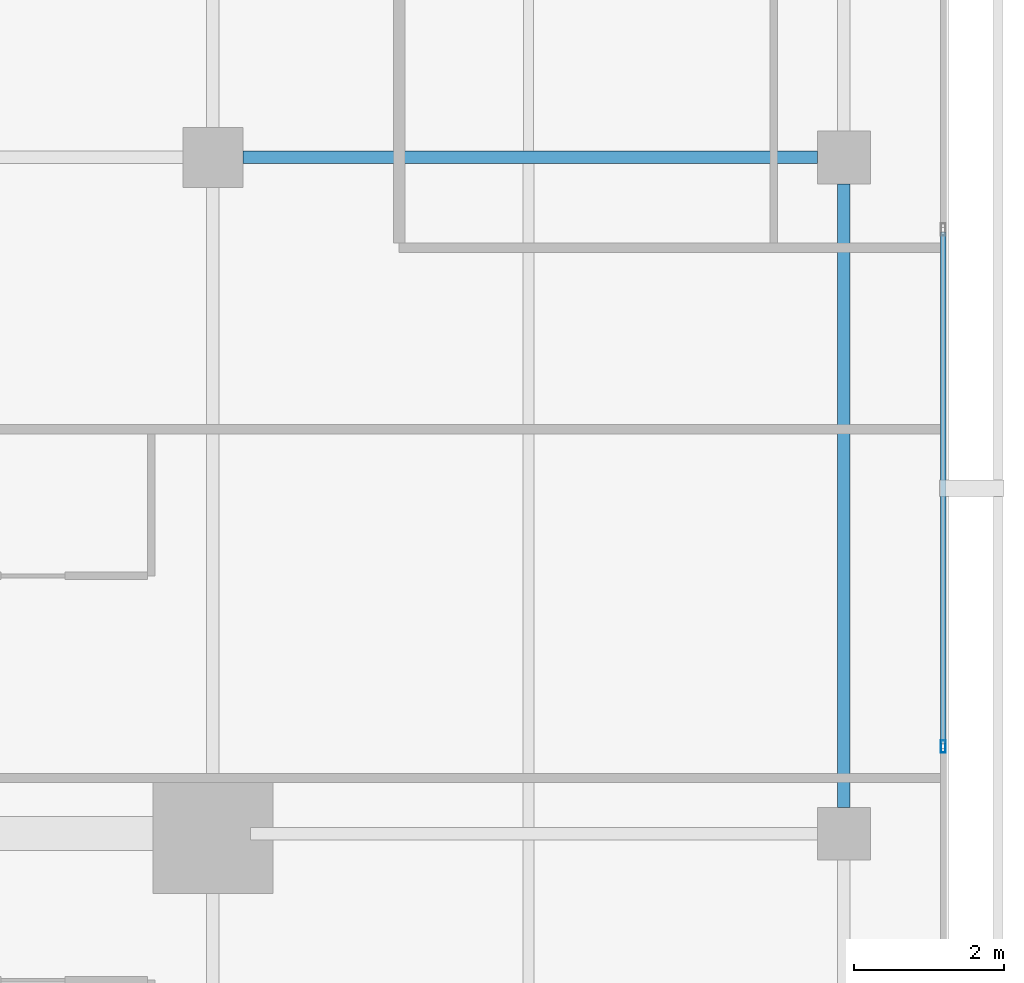
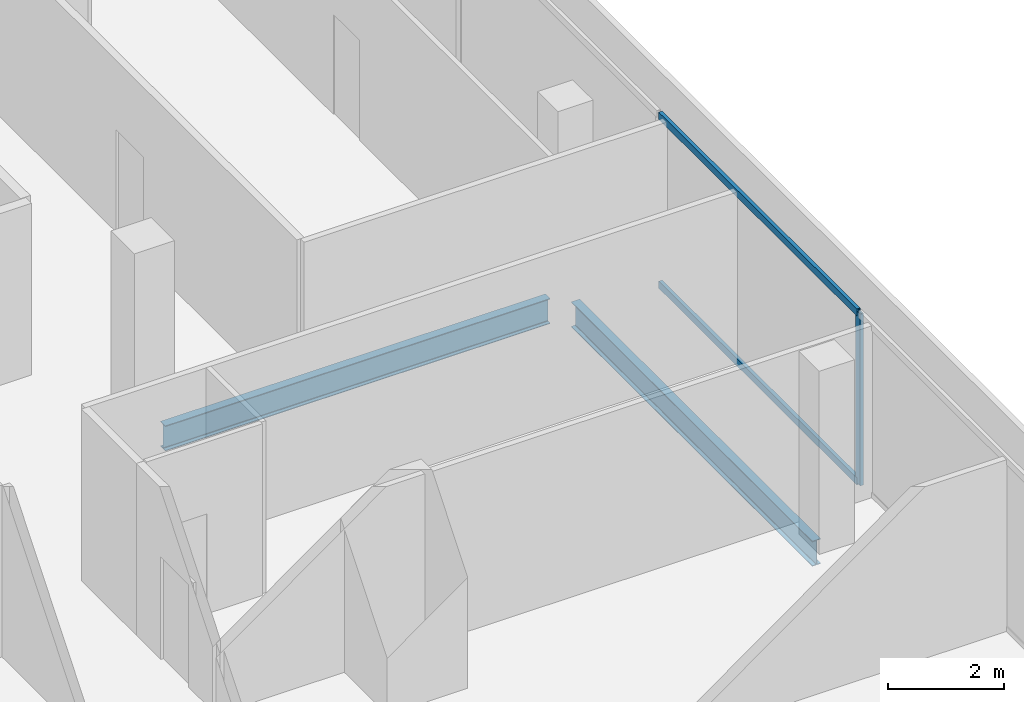
# One storey, part 14 of 25: 3 members, 2 beams, 1 element without a shape of its own.
"""IFC4 building model written with IfcOpenShell, lengths in metres."""

from ifc_helpers import new_model, si_unit, direction, frame, origin, origin_2d, place, context, subcontext, project, spatial, hollow_rectangle, i_section, extrude, material, layer, layer_set, material_profile, profile_set, type_object, element, aggregate, save


model = new_model("IFC4")

# Units and contexts
model_context = context("Model", 3, precision=1e-05, world=origin(), true_north=direction((0.0, 1.0)))
body_context = subcontext(model_context, "Body", "Model", "MODEL_VIEW")
ifc_project = project(units=[si_unit("LENGTHUNIT", "METRE"), si_unit("AREAUNIT", "SQUARE_METRE"), si_unit("VOLUMEUNIT", "CUBIC_METRE"), si_unit("PLANEANGLEUNIT", "RADIAN"), si_unit("MASSUNIT", "GRAM", prefix="KILO")], contexts=[model_context])

# Site, building, storey
site_placement = place(None, origin())
site = spatial("IfcSite", under=ifc_project, at=site_placement, CompositionType="ELEMENT")
building_placement = place(site_placement, origin())
building = spatial("IfcBuilding", under=site, at=building_placement, Name="Maruvema Waterfront Hotel and Observation Tower", CompositionType="ELEMENT")
storey_placement = place(building_placement, frame((0.0, 0.0, 281.75)))
storey = spatial("IfcBuildingStorey", under=building, at=storey_placement, Name="L69", CompositionType="ELEMENT", Elevation=281.75)

# Curtain wall, members
ifc_material_1 = material(Name="Anodised bronze aluminium and solar-control low-E IGU", Category="aluminium")
ifc_layer = layer(ifc_material_1, 0.159912109375, Name="Zone 3 Champagne Inner Thermal Curtain Wall System CW-04")
ifc_layer_set = layer_set([ifc_layer], Name="Anodised bronze aluminium and solar-control low-E IGU")
curtain_wall_type = type_object("IfcCurtainWallType", Name="Zone 3 Champagne Inner Thermal Curtain Wall System CW-04", PredefinedType="USERDEFINED", material=ifc_layer_set)
curtain_wall_placement = place(storey_placement, origin())
curtain_wall = element("IfcCurtainWall", 1, at=curtain_wall_placement, inside=storey, type_object=curtain_wall_type, Name="L69 Curtain Wall CW-L69-E", ObjectType="UNITISED CURTAIN WALL", PredefinedType="USERDEFINED")
ifc_material_2 = material(Name="Anodised architectural bronze aluminium", Category="aluminium")
ifc_material_profile_1 = material_profile(ifc_material_2, hollow_rectangle(XDim=0.070068359375, YDim=0.14990234375, WallThickness=0.00390625, at=origin_2d()), Name="ALU-T70x150")
ifc_profile_set_1 = profile_set([ifc_material_profile_1], Name="Anodised architectural bronze aluminium")
member_type_1 = type_object("IfcMemberType", Name="Curtain Wall Horizontal Transom ALU-T70x150", PredefinedType="USERDEFINED", material=ifc_profile_set_1)
member_1_placement = place(storey_placement, frame((60.1201171875, 28.18994140625, 0.030029296875), z_axis=(0.0, 1.0, 0.0), x_axis=(-1.0, 0.0, 0.0)))
member_1 = element("IfcMember", 2, at=member_1_placement, type_object=member_type_1, Name="CW-04 transom 3.1", ObjectType="TRANSOM", PredefinedType="USERDEFINED", context=body_context, shape_type="SweptSolid", body=[
    extrude(hollow_rectangle(XDim=0.070068359375, YDim=0.14990234375, WallThickness=0.00390625, at=origin_2d()), origin(), (0.0, 0.0, 1.0), 6.820068359375),
])
member_2_placement = place(storey_placement, frame((60.1201171875, 28.18994140625, 3.580078125), z_axis=(0.0, 1.0, 0.0), x_axis=(-1.0, 0.0, 0.0)))
member_2 = element("IfcMember", 3, at=member_2_placement, type_object=member_type_1, Name="CW-04 transom 3.2", ObjectType="TRANSOM", PredefinedType="USERDEFINED", context=body_context, shape_type="SweptSolid", body=[
    extrude(hollow_rectangle(XDim=0.070068359375, YDim=0.14990234375, WallThickness=0.00390625, at=origin_2d()), origin(), (0.0, 0.0, 1.0), 6.820068359375),
])
ifc_material_3 = material(Name="Anodised architectural bronze aluminium", Category="aluminium")
ifc_material_profile_2 = material_profile(ifc_material_3, hollow_rectangle(XDim=0.06494140625, YDim=0.1650390625, WallThickness=0.00390625, at=origin_2d()), Name="ALU-M65x165")
ifc_profile_set_2 = profile_set([ifc_material_profile_2], Name="Anodised architectural bronze aluminium")
member_type_2 = type_object("IfcMemberType", Name="Curtain Wall Primary Mullion ALU-M65x165", PredefinedType="MULLION", material=ifc_profile_set_2)
member_3_placement = place(storey_placement, frame((60.1201171875, 28.159912109375, 0.0), z_axis=(0.0, 0.0, 1.0), x_axis=(-1.0, 0.0, 0.0)))
member_3 = element("IfcMember", 4, at=member_3_placement, type_object=member_type_2, Name="CW-04 mullion 3", PredefinedType="MULLION", context=body_context, shape_type="SweptSolid", body=[
    extrude(hollow_rectangle(XDim=0.06494140625, YDim=0.1650390625, WallThickness=0.00390625, at=origin_2d()), origin(), (0.0, 0.0, 1.0), 3.610107421875),
])
aggregate(curtain_wall, [member_3, member_1, member_2])

# Beams
ifc_material_4 = material(Name="Steel ASTM A572 Grade 50", Category="steel")
ifc_material_profile_3 = material_profile(ifc_material_4, i_section(OverallWidth=0.166015625, OverallDepth=0.529052734375, WebThickness=0.009765625, FlangeThickness=0.013671875, FilletRadius=0.014892578125, at=origin_2d()), Name="W530x74.0")
ifc_profile_set_3 = profile_set([ifc_material_profile_3], Name="Steel ASTM A572 Grade 50")
beam_type = type_object("IfcBeamType", Name="Primary Floor Girder W530x74.0", PredefinedType="BEAM", material=ifc_profile_set_3)
beam_1_placement = place(storey_placement, frame((50.800048828125, 36.0, -0.50439453125), z_axis=(1.0, 0.0, 0.0), x_axis=(0.0, 1.0, 0.0)))
element("IfcBeam", 5, at=beam_1_placement, inside=storey, type_object=beam_type, Name="L69 Floor Girder EW-16", PredefinedType="BEAM", context=body_context, shape_type="SweptSolid", body=[
    extrude(i_section(OverallWidth=0.166015625, OverallDepth=0.529052734375, WebThickness=0.009765625, FlangeThickness=0.013671875, FilletRadius=0.014892578125, at=origin_2d()), origin(), (0.0, 0.0, 1.0), 7.64990234375),
])
beam_2_placement = place(storey_placement, frame((58.800048828125, 27.35009765625, -0.50439453125), z_axis=(0.0, 1.0, 0.0), x_axis=(-1.0, 0.0, 0.0)))
element("IfcBeam", 6, at=beam_2_placement, inside=storey, type_object=beam_type, Name="L69 Floor Girder NS-17", PredefinedType="BEAM", context=body_context, shape_type="SweptSolid", body=[
    extrude(i_section(OverallWidth=0.166015625, OverallDepth=0.529052734375, WebThickness=0.009765625, FlangeThickness=0.013671875, FilletRadius=0.014892578125, at=origin_2d()), origin(), (0.0, 0.0, 1.0), 8.2998046875),
])

save(model, "model.ifc")
